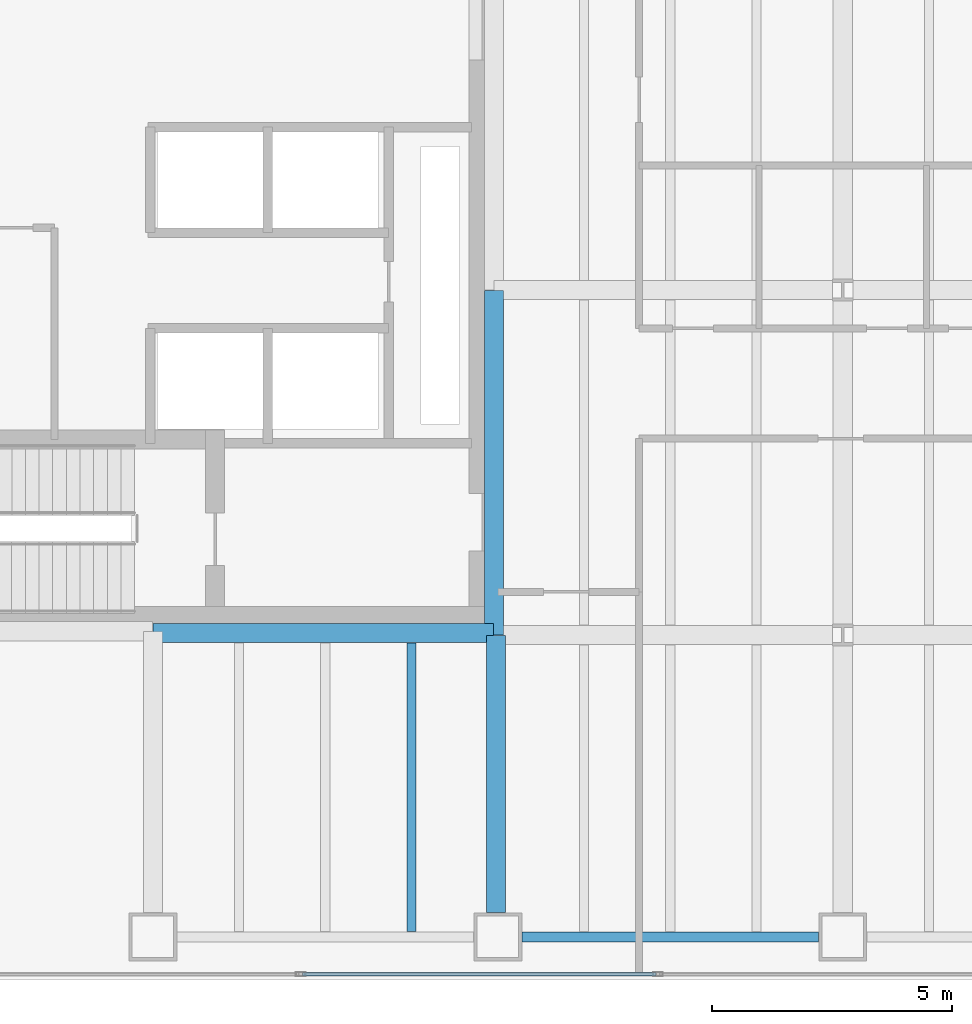
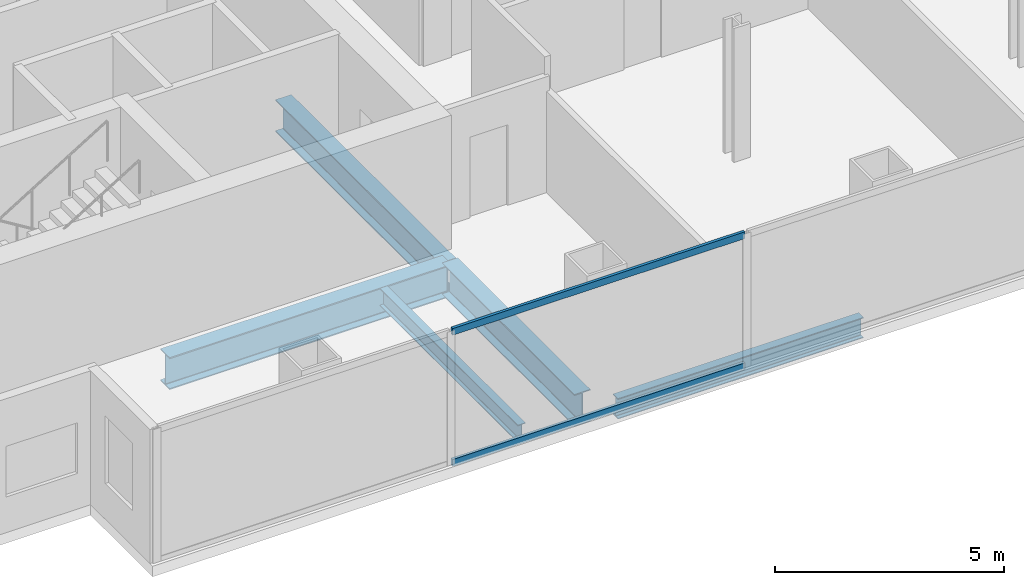
# One storey, part 3 of 23: 5 beams, 2 members, 1 element without a shape of its own.
"""IFC4 building model written with IfcOpenShell, lengths in metres."""

from ifc_helpers import new_model, si_unit, direction, frame, origin, origin_2d, place, context, subcontext, project, spatial, hollow_rectangle, i_section, extrude, material, material_profile, profile_set, type_object, element, aggregate, save


model = new_model("IFC4")

# Units and contexts
model_context = context("Model", 3, precision=1e-05, world=origin(), true_north=direction((0.0, 1.0)))
body_context = subcontext(model_context, "Body", "Model", "MODEL_VIEW")
ifc_project = project(units=[si_unit("LENGTHUNIT", "METRE"), si_unit("AREAUNIT", "SQUARE_METRE"), si_unit("VOLUMEUNIT", "CUBIC_METRE"), si_unit("PLANEANGLEUNIT", "RADIAN"), si_unit("MASSUNIT", "GRAM", prefix="KILO")], contexts=[model_context])

# Site, building, storey
site_placement = place(None, origin())
site = spatial("IfcSite", under=ifc_project, at=site_placement, CompositionType="ELEMENT")
building_placement = place(site_placement, origin())
building = spatial("IfcBuilding", under=site, at=building_placement, Name="Cobrela Telecom Tower", CompositionType="ELEMENT")
storey_placement = place(building_placement, frame((0.0, 0.0, 65.800048828125)))
storey = spatial("IfcBuildingStorey", under=building, at=storey_placement, Name="L16", CompositionType="ELEMENT", Elevation=65.800048828125)

# Beams
ifc_material_1 = material(Name="Steel ASTM A992 Grade 50", Category="steel")
ifc_material_profile_1 = material_profile(ifc_material_1, i_section(OverallWidth=0.39892578125, OverallDepth=0.85595703125, WebThickness=0.018310546875, FlangeThickness=0.029296875, FilletRadius=0.02001953125, at=origin_2d()), Name="W33X201")
ifc_profile_set_1 = profile_set([ifc_material_profile_1], Name="Steel ASTM A992 Grade 50")
beam_type_1 = type_object("IfcBeamType", Name="BM-GIRD-03", PredefinedType="USERDEFINED", material=ifc_profile_set_1)
beam_1_placement = place(storey_placement, frame((7.205078125, 7.239990234375, -0.7080078125), z_axis=(1.0, 0.0, 0.0), x_axis=(0.0, 1.0, 0.0)))
element("IfcBeam", 1, at=beam_1_placement, inside=storey, type_object=beam_type_1, Name="L16 Primary Girder X07", ObjectType="GIRDER", PredefinedType="USERDEFINED", context=body_context, shape_type="SweptSolid", body=[
    extrude(i_section(OverallWidth=0.39892578125, OverallDepth=0.85595703125, WebThickness=0.018310546875, FlangeThickness=0.029296875, FilletRadius=0.02001953125, at=origin_2d()), origin(), (0.0, 0.0, 1.0), 7.10986328125),
])
beam_2_placement = place(storey_placement, frame((14.360107421875, 1.405029296875, -0.7080078125), z_axis=(0.0, 1.0, 0.0), x_axis=(-1.0, 0.0, 0.0)))
element("IfcBeam", 2, at=beam_2_placement, inside=storey, type_object=beam_type_1, Name="L16 Primary Girder Y34", ObjectType="GIRDER", PredefinedType="USERDEFINED", context=body_context, shape_type="SweptSolid", body=[
    extrude(i_section(OverallWidth=0.39892578125, OverallDepth=0.85595703125, WebThickness=0.018310546875, FlangeThickness=0.029296875, FilletRadius=0.02001953125, at=origin_2d()), origin(), (0.0, 0.0, 1.0), 5.7900390625),
])
beam_3_placement = place(storey_placement, frame((14.320068359375, 7.205078125, -0.7080078125), z_axis=(0.0, 1.0, 0.0), x_axis=(-1.0, 0.0, 0.0)))
element("IfcBeam", 3, at=beam_3_placement, inside=storey, type_object=beam_type_1, Name="L16 Primary Girder Y35", ObjectType="GIRDER", PredefinedType="USERDEFINED", context=body_context, shape_type="SweptSolid", body=[
    extrude(i_section(OverallWidth=0.39892578125, OverallDepth=0.85595703125, WebThickness=0.018310546875, FlangeThickness=0.029296875, FilletRadius=0.02001953125, at=origin_2d()), origin(), (0.0, 0.0, 1.0), 7.18994140625),
])
ifc_material_profile_2 = material_profile(ifc_material_1, i_section(OverallWidth=0.193115234375, OverallDepth=0.467041015625, WebThickness=0.011474609375, FlangeThickness=0.01904296875, FilletRadius=0.012939453125, at=origin_2d()), Name="W18X65")
ifc_profile_set_2 = profile_set([ifc_material_profile_2], Name="Steel ASTM A992 Grade 50")
beam_type_2 = type_object("IfcBeamType", Name="BM-JOIST-03", PredefinedType="JOIST", material=ifc_profile_set_2)
beam_4_placement = place(storey_placement, frame((12.60009765625, 1.011474609375, -0.513427734375), z_axis=(0.0, 1.0, 0.0), x_axis=(-1.0, 0.0, 0.0)))
element("IfcBeam", 4, at=beam_4_placement, inside=storey, type_object=beam_type_2, Name="L16 Secondary Composite Floor Beam J05", PredefinedType="JOIST", context=body_context, shape_type="SweptSolid", body=[
    extrude(i_section(OverallWidth=0.193115234375, OverallDepth=0.467041015625, WebThickness=0.011474609375, FlangeThickness=0.01904296875, FilletRadius=0.012939453125, at=origin_2d()), origin(), (0.0, 0.0, 1.0), 6.02392578125),
])
ifc_material_profile_3 = material_profile(ifc_material_1, i_section(OverallWidth=0.212890625, OverallDepth=0.549072265625, WebThickness=0.0146484375, FlangeThickness=0.023681640625, FilletRadius=0.013916015625, at=origin_2d()), Name="W21X93")
ifc_profile_set_3 = profile_set([ifc_material_profile_3], Name="Steel ASTM A992 Grade 50")
beam_type_3 = type_object("IfcBeamType", Name="BM-SPAND-03", PredefinedType="SPANDREL", material=ifc_profile_set_3)
beam_5_placement = place(storey_placement, frame((14.905029296875, 0.89990234375, -0.554443359375), z_axis=(1.0, 0.0, 0.0), x_axis=(0.0, 1.0, 0.0)))
element("IfcBeam", 5, at=beam_5_placement, inside=storey, type_object=beam_type_3, Name="L16 Perimeter Spandrel X02", PredefinedType="SPANDREL", context=body_context, shape_type="SweptSolid", body=[
    extrude(i_section(OverallWidth=0.212890625, OverallDepth=0.549072265625, WebThickness=0.0146484375, FlangeThickness=0.023681640625, FilletRadius=0.013916015625, at=origin_2d()), origin(), (0.0, 0.0, 1.0), 6.18994140625),
])

# Curtain wall, members
ifc_material_2 = material(Name="Anodized Bronze Aluminium 6063-T6", Category="aluminium")
curtain_wall_type = type_object("IfcCurtainWallType", Name="CW-SYS-DATA", PredefinedType="USERDEFINED", material=ifc_material_2)
curtain_wall_placement = place(storey_placement, origin())
curtain_wall = element("IfcCurtainWall", 6, at=curtain_wall_placement, inside=storey, type_object=curtain_wall_type, Name="L16 Unitised Bronze Curtain Wall 17", ObjectType="UNITISED CURTAIN WALL", PredefinedType="USERDEFINED")
ifc_material_profile_4 = material_profile(ifc_material_2, hollow_rectangle(XDim=0.074951171875, YDim=0.179931640625, WallThickness=0.00390625, at=origin_2d()), Name="ALU 75x180x4")
ifc_profile_set_4 = profile_set([ifc_material_profile_4], Name="Anodized Bronze Aluminium 6063-T6")
member_type = type_object("IfcMemberType", Name="CW-SYS-DATA-TRN", PredefinedType="USERDEFINED", material=ifc_profile_set_4)
member_1_placement = place(storey_placement, frame((17.703369140625, 0.1201171875, 0.037353515625), z_axis=(-1.0, 0.0, 0.0), x_axis=(0.0, -1.0, 0.0)))
member_1 = element("IfcMember", 7, at=member_1_placement, type_object=member_type, Name="CW-DATA transom 5.1", ObjectType="TRANSOM", PredefinedType="USERDEFINED", context=body_context, shape_type="SweptSolid", body=[
    extrude(hollow_rectangle(XDim=0.074951171875, YDim=0.179931640625, WallThickness=0.00390625, at=origin_2d()), origin(), (0.0, 0.0, 1.0), 7.376708984375),
])
member_2_placement = place(storey_placement, frame((17.703369140625, 0.1201171875, 3.532470703125), z_axis=(-1.0, 0.0, 0.0), x_axis=(0.0, -1.0, 0.0)))
member_2 = element("IfcMember", 8, at=member_2_placement, type_object=member_type, Name="CW-DATA transom 5.2", ObjectType="TRANSOM", PredefinedType="USERDEFINED", context=body_context, shape_type="SweptSolid", body=[
    extrude(hollow_rectangle(XDim=0.074951171875, YDim=0.179931640625, WallThickness=0.00390625, at=origin_2d()), origin(), (0.0, 0.0, 1.0), 7.376708984375),
])
aggregate(curtain_wall, [member_1, member_2])

save(model, "model.ifc")
